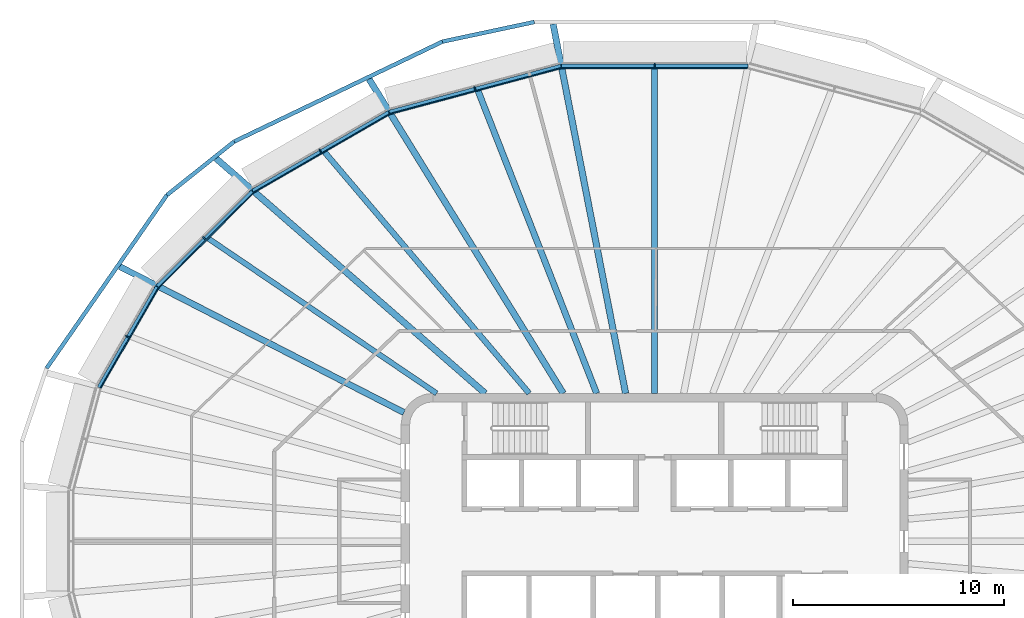
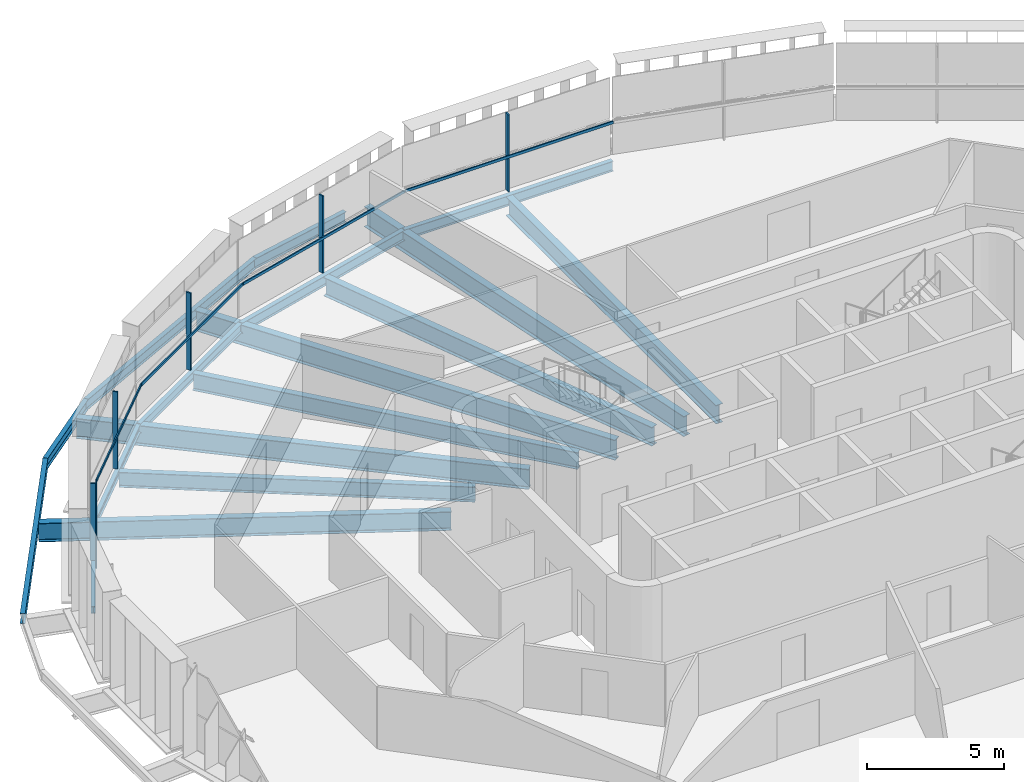
# One storey, part 6 of 18: 17 beams, 10 members, 5 elements without a shape of their own.
"""IFC4 building model written with IfcOpenShell, lengths in metres."""

from ifc_helpers import new_model, si_unit, direction, frame, origin, origin_2d, place, context, subcontext, project, spatial, rectangle, i_section, extrude, material, layer, layer_set, material_profile, profile_set, type_object, element, aggregate, save


model = new_model("IFC4")

# Units and contexts
model_context = context("Model", 3, precision=1e-05, world=origin(), true_north=direction((0.0, 1.0)))
body_context = subcontext(model_context, "Body", "Model", "MODEL_VIEW")
ifc_project = project(units=[si_unit("LENGTHUNIT", "METRE"), si_unit("AREAUNIT", "SQUARE_METRE"), si_unit("VOLUMEUNIT", "CUBIC_METRE"), si_unit("PLANEANGLEUNIT", "RADIAN"), si_unit("MASSUNIT", "GRAM", prefix="KILO")], contexts=[model_context])

# Site, building, storey
site_placement = place(None, origin())
site = spatial("IfcSite", under=ifc_project, at=site_placement, CompositionType="ELEMENT")
building_placement = place(site_placement, origin())
building = spatial("IfcBuilding", under=site, at=building_placement, Name="Sahrelin Media Tower", CompositionType="ELEMENT")
storey_placement = place(building_placement, frame((0.0, 0.0, 295.0)))
storey = spatial("IfcBuildingStorey", under=building, at=storey_placement, Name="L65", CompositionType="ELEMENT", Elevation=295.0)

# Beams
ifc_material_1 = material(Name="Steel S355", Category="steel")
ifc_material_profile_1 = material_profile(ifc_material_1, i_section(OverallWidth=0.1650390625, OverallDepth=0.303466796875, WebThickness=0.006103515625, FlangeThickness=0.01025390625, FilletRadius=0.0087890625, at=origin_2d()), Name="UB 305x165x40")
ifc_profile_set_1 = profile_set([ifc_material_profile_1], Name="Steel S355")
beam_type_1 = type_object("IfcBeamType", Name="Edge beam EB2", PredefinedType="BEAM", material=ifc_profile_set_1)
beam_1_placement = place(storey_placement, frame((-26.300537109375, 7.2841796875, -0.3017578125), z_axis=(0.500009232748, 0.866020073189, 0.0), x_axis=(-0.866020073189, 0.500009232748, 0.0)))
element("IfcBeam", 1, at=beam_1_placement, inside=storey, type_object=beam_type_1, Name="Edge beam L65-15", PredefinedType="BEAM", context=body_context, shape_type="SweptSolid", body=[
    extrude(i_section(OverallWidth=0.1650390625, OverallDepth=0.303466796875, WebThickness=0.006103515625, FlangeThickness=0.01025390625, FilletRadius=0.0087890625, at=origin_2d()), origin(), (0.0, 0.0, 1.0), 5.50244140625),
])
ifc_material_profile_2 = material_profile(ifc_material_1, i_section(OverallWidth=0.17138671875, OverallDepth=0.35498046875, WebThickness=0.00732421875, FlangeThickness=0.011474609375, FilletRadius=0.01025390625, at=origin_2d()), Name="UB 356x171x51")
ifc_profile_set_2 = profile_set([ifc_material_profile_2], Name="Steel S355")
beam_type_2 = type_object("IfcBeamType", Name="Edge beam EB3", PredefinedType="BEAM", material=ifc_profile_set_2)
beam_2_placement = place(storey_placement, frame((-23.53173828125, 12.072265625, -0.327392578125), z_axis=(0.707106781187, 0.707106781187, 0.0), x_axis=(-0.707106781187, 0.707106781187, 0.0)))
element("IfcBeam", 2, at=beam_2_placement, inside=storey, type_object=beam_type_2, Name="Edge beam L65-16", PredefinedType="BEAM", context=body_context, shape_type="SweptSolid", body=[
    extrude(i_section(OverallWidth=0.17138671875, OverallDepth=0.35498046875, WebThickness=0.00732421875, FlangeThickness=0.011474609375, FilletRadius=0.01025390625, at=origin_2d()), origin(), (0.0, 0.0, 1.0), 6.3515625),
])
ifc_material_profile_3 = material_profile(ifc_material_1, i_section(OverallWidth=0.177978515625, OverallDepth=0.406494140625, WebThickness=0.0078125, FlangeThickness=0.0126953125, FilletRadius=0.01025390625, at=origin_2d()), Name="UB 406x178x60")
ifc_profile_set_3 = profile_set([ifc_material_profile_3], Name="Steel S355")
beam_type_3 = type_object("IfcBeamType", Name="Edge beam EB4", PredefinedType="BEAM", material=ifc_profile_set_3)
beam_3_placement = place(storey_placement, frame((-19.017578125, 16.580810546875, -0.353271484375), z_axis=(0.866009322333, 0.500027852856, 0.0), x_axis=(-0.500027852856, 0.866009322333, 0.0)))
element("IfcBeam", 3, at=beam_3_placement, inside=storey, type_object=beam_type_3, Name="Edge beam L65-17", PredefinedType="BEAM", context=body_context, shape_type="SweptSolid", body=[
    extrude(i_section(OverallWidth=0.177978515625, OverallDepth=0.406494140625, WebThickness=0.0078125, FlangeThickness=0.0126953125, FilletRadius=0.01025390625, at=origin_2d()), origin(), (0.0, 0.0, 1.0), 7.42724609375),
])
ifc_material_profile_4 = material_profile(ifc_material_1, i_section(OverallWidth=0.1904296875, OverallDepth=0.45703125, WebThickness=0.009033203125, FlangeThickness=0.014404296875, FilletRadius=0.01025390625, at=origin_2d()), Name="UB 457x191x74")
ifc_profile_set_4 = profile_set([ifc_material_profile_4], Name="Steel S355")
beam_type_4 = type_object("IfcBeamType", Name="Edge beam EB5", PredefinedType="BEAM", material=ifc_profile_set_4)
beam_4_placement = place(storey_placement, frame((-12.558837890625, 20.3056640625, -0.37841796875), z_axis=(0.965928221005, 0.258810107735, 0.0), x_axis=(-0.258810107735, 0.965928221005, 0.0)))
element("IfcBeam", 4, at=beam_4_placement, inside=storey, type_object=beam_type_4, Name="Edge beam L65-18", PredefinedType="BEAM", context=body_context, shape_type="SweptSolid", body=[
    extrude(i_section(OverallWidth=0.1904296875, OverallDepth=0.45703125, WebThickness=0.009033203125, FlangeThickness=0.014404296875, FilletRadius=0.01025390625, at=origin_2d()), origin(), (0.0, 0.0, 1.0), 8.40771484375),
])
beam_5_placement = place(storey_placement, frame((-4.40869140625, 22.485595703125, -0.37841796875), z_axis=(1.0, 0.0, 0.0), x_axis=(0.0, 1.0, 0.0)))
element("IfcBeam", 5, at=beam_5_placement, inside=storey, type_object=beam_type_4, Name="Edge beam L65-19", PredefinedType="BEAM", context=body_context, shape_type="SweptSolid", body=[
    extrude(i_section(OverallWidth=0.1904296875, OverallDepth=0.45703125, WebThickness=0.009033203125, FlangeThickness=0.014404296875, FilletRadius=0.01025390625, at=origin_2d()), origin(), (0.0, 0.0, 1.0), 8.8173828125),
])

# Curtain wall, member
ifc_material_2 = material(Name="Champagne anodised aluminium 6063-T6", Category="aluminium")
ifc_layer = layer(ifc_material_2, 0.14990234375)
ifc_layer_set = layer_set([ifc_layer], Name="Tower ribbon curtain wall")
curtain_wall_type = type_object("IfcCurtainWallType", Name="Tower ribbon curtain wall", PredefinedType="NOTDEFINED", material=ifc_layer_set)
curtain_wall_1_placement = place(storey_placement, frame((0.0, 22.635498046875, 0.0), z_axis=(0.0, 0.0, 1.0), x_axis=(1.0, 0.0, 0.0)))
curtain_wall_1 = element("IfcCurtainWall", 6, at=curtain_wall_1_placement, inside=storey, type_object=curtain_wall_type, Name="L65:CW:L65-06", PredefinedType="NOTDEFINED")
ifc_material_profile_5 = material_profile(ifc_material_2, rectangle(XDim=0.06005859375, YDim=0.199951171875, at=origin_2d()), Name="Mullion 60x200")
ifc_profile_set_5 = profile_set([ifc_material_profile_5], Name="Champagne anodised aluminium 6063-T6")
member_type_1 = type_object("IfcMemberType", Name="Mullion 60x200 CW1C", PredefinedType="MULLION", material=ifc_profile_set_5)
member_1_placement = place(storey_placement, frame((0.0, 22.515380859375, 0.0), z_axis=(0.0, 0.0, 1.0), x_axis=(-1.0, 0.0, 0.0)))
member_1 = element("IfcMember", 7, at=member_1_placement, type_object=member_type_1, Name="L65:CWM:L65-06", PredefinedType="MULLION", context=body_context, shape_type="SweptSolid", body=[
    extrude(rectangle(XDim=0.06005859375, YDim=0.199951171875, at=origin_2d()), origin(), (0.0, 0.0, 1.0), 3.448486328125),
])

curtain_wall_2_placement = place(storey_placement, frame((-8.536865234375, 21.53857421875, 0.0), z_axis=(0.0, 0.0, 1.0), x_axis=(1.0, 0.0, 0.0)))
curtain_wall_2 = element("IfcCurtainWall", 8, at=curtain_wall_2_placement, inside=storey, type_object=curtain_wall_type, Name="L65:CW:L65-07", PredefinedType="NOTDEFINED")
member_2_placement = place(storey_placement, frame((-8.505859375, 21.422607421875, 0.0), z_axis=(0.0, 0.0, 1.0), x_axis=(-0.965927633163, -0.258812301662, 0.0)))
member_2 = element("IfcMember", 9, at=member_2_placement, type_object=member_type_1, Name="L65:CWM:L65-07", PredefinedType="MULLION", context=body_context, shape_type="SweptSolid", body=[
    extrude(rectangle(XDim=0.06005859375, YDim=0.199951171875, at=origin_2d()), origin(), (0.0, 0.0, 1.0), 3.448486328125),
])

curtain_wall_3_placement = place(storey_placement, frame((-15.876708984375, 18.567626953125, 0.0), z_axis=(0.0, 0.0, 1.0), x_axis=(1.0, 0.0, 0.0)))
curtain_wall_3 = element("IfcCurtainWall", 10, at=curtain_wall_3_placement, inside=storey, type_object=curtain_wall_type, Name="L65:CW:L65-08", PredefinedType="NOTDEFINED")
member_3_placement = place(storey_placement, frame((-15.81640625, 18.4638671875, 0.0), z_axis=(0.0, 0.0, 1.0), x_axis=(-0.866024531118, -0.500001511499, 0.0)))
member_3 = element("IfcMember", 11, at=member_3_placement, type_object=member_type_1, Name="L65:CWM:L65-08", PredefinedType="MULLION", context=body_context, shape_type="SweptSolid", body=[
    extrude(rectangle(XDim=0.06005859375, YDim=0.199951171875, at=origin_2d()), origin(), (0.0, 0.0, 1.0), 3.448486328125),
])

curtain_wall_4_placement = place(storey_placement, frame((-21.39208984375, 14.423828125, 0.0), z_axis=(0.0, 0.0, 1.0), x_axis=(1.0, 0.0, 0.0)))
curtain_wall_4 = element("IfcCurtainWall", 12, at=curtain_wall_4_placement, inside=storey, type_object=curtain_wall_type, Name="L65:CW:L65-09", PredefinedType="NOTDEFINED")
member_4_placement = place(storey_placement, frame((-21.307373046875, 14.339111328125, 0.0), z_axis=(0.0, 0.0, 1.0), x_axis=(-0.707106781187, -0.707106781187, 0.0)))
member_4 = element("IfcMember", 13, at=member_4_placement, type_object=member_type_1, Name="L65:CWM:L65-09", PredefinedType="MULLION", context=body_context, shape_type="SweptSolid", body=[
    extrude(rectangle(XDim=0.06005859375, YDim=0.199951171875, at=origin_2d()), origin(), (0.0, 0.0, 1.0), 3.448486328125),
])

curtain_wall_5_placement = place(storey_placement, frame((-25.054931640625, 9.74169921875, 0.0), z_axis=(0.0, 0.0, 1.0), x_axis=(1.0, 0.0, 0.0)))
curtain_wall_5 = element("IfcCurtainWall", 14, at=curtain_wall_5_placement, inside=storey, type_object=curtain_wall_type, Name="L65:CW:L65-10", PredefinedType="NOTDEFINED")
member_5_placement = place(storey_placement, frame((-24.950927734375, 9.681640625, 0.0), z_axis=(0.0, 0.0, 1.0), x_axis=(-0.500010580459, -0.866019295067, 0.0)))
member_5 = element("IfcMember", 15, at=member_5_placement, type_object=member_type_1, Name="L65:CWM:L65-10", PredefinedType="MULLION", context=body_context, shape_type="SweptSolid", body=[
    extrude(rectangle(XDim=0.06005859375, YDim=0.199951171875, at=origin_2d()), origin(), (0.0, 0.0, 1.0), 3.448486328125),
])

# Beams
ifc_material_profile_6 = material_profile(ifc_material_1, i_section(OverallWidth=0.291748046875, OverallDepth=0.8349609375, WebThickness=0.013916015625, FlangeThickness=0.018798828125, FilletRadius=0.017822265625, at=origin_2d()), Name="UB 838x292x176")
ifc_profile_set_6 = profile_set([ifc_material_profile_6], Name="Steel S355")
beam_type_5 = type_object("IfcBeamType", Name="Radial primary beam PB10", PredefinedType="BEAM", material=ifc_profile_set_6)
beam_6_placement = place(storey_placement, frame((-11.86376953125, 6.09375, -0.5673828125), z_axis=(-0.889517357892, 0.456901378865, 0.0), x_axis=(-0.456901378865, -0.889517357892, 0.0)))
element("IfcBeam", 16, at=beam_6_placement, inside=storey, type_object=beam_type_5, Name="Radial beam L65-10", PredefinedType="BEAM", context=body_context, shape_type="SweptSolid", body=[
    extrude(i_section(OverallWidth=0.291748046875, OverallDepth=0.8349609375, WebThickness=0.013916015625, FlangeThickness=0.018798828125, FilletRadius=0.017822265625, at=origin_2d()), origin(), (0.0, 0.0, 1.0), 15.11962890625),
])
ifc_material_profile_7 = material_profile(ifc_material_1, i_section(OverallWidth=0.30322265625, OverallDepth=0.903076171875, WebThickness=0.01513671875, FlangeThickness=0.020263671875, FilletRadius=0.01904296875, at=origin_2d()), Name="UB 914x305x201")
ifc_profile_set_7 = profile_set([ifc_material_profile_7], Name="Steel S355")
beam_type_6 = type_object("IfcBeamType", Name="Radial primary beam PB11", PredefinedType="BEAM", material=ifc_profile_set_7)
beam_7_placement = place(storey_placement, frame((-1.3740234375, 7.0, -0.6015625), z_axis=(-0.192606492872, 0.981276076802, 0.0), x_axis=(-0.981276076802, -0.192606492872, 0.0)))
element("IfcBeam", 17, at=beam_7_placement, inside=storey, type_object=beam_type_6, Name="Radial beam L65-07", PredefinedType="BEAM", context=body_context, shape_type="SweptSolid", body=[
    extrude(i_section(OverallWidth=0.30322265625, OverallDepth=0.903076171875, WebThickness=0.01513671875, FlangeThickness=0.020263671875, FilletRadius=0.01904296875, at=origin_2d()), origin(), (0.0, 0.0, 1.0), 17.811767578125),
])
beam_8_placement = place(storey_placement, frame((-4.3251953125, 7.0, -0.6015625), z_axis=(-0.525640038522, 0.850707088194, 0.0), x_axis=(-0.850707088194, -0.525640038522, 0.0)))
element("IfcBeam", 18, at=beam_8_placement, inside=storey, type_object=beam_type_6, Name="Radial beam L65-08", PredefinedType="BEAM", context=body_context, shape_type="SweptSolid", body=[
    extrude(i_section(OverallWidth=0.30322265625, OverallDepth=0.903076171875, WebThickness=0.01513671875, FlangeThickness=0.020263671875, FilletRadius=0.01904296875, at=origin_2d()), origin(), (0.0, 0.0, 1.0), 17.48291015625),
])
beam_9_placement = place(storey_placement, frame((-8.018310546875, 7.0, -0.6015625), z_axis=(-0.753326939071, 0.657646198856, 0.0), x_axis=(-0.657646198856, -0.753326939071, 0.0)))
element("IfcBeam", 19, at=beam_9_placement, inside=storey, type_object=beam_type_6, Name="Radial beam L65-09", PredefinedType="BEAM", context=body_context, shape_type="SweptSolid", body=[
    extrude(i_section(OverallWidth=0.30322265625, OverallDepth=0.903076171875, WebThickness=0.01513671875, FlangeThickness=0.020263671875, FilletRadius=0.01904296875, at=origin_2d()), origin(), (0.0, 0.0, 1.0), 16.90185546875),
])
ifc_material_profile_8 = material_profile(ifc_material_1, i_section(OverallWidth=0.291748046875, OverallDepth=0.8349609375, WebThickness=0.013916015625, FlangeThickness=0.018798828125, FilletRadius=0.017822265625, at=origin_2d()), Name="UB 838x292x176")
ifc_profile_set_8 = profile_set([ifc_material_profile_8], Name="Steel S355")
beam_type_7 = type_object("IfcBeamType", Name="Radial secondary beam SB10", PredefinedType="BEAM", material=ifc_profile_set_8)
beam_10_placement = place(storey_placement, frame((0.0, 7.0, -0.5673828125), z_axis=(0.0, 1.0, 0.0), x_axis=(-1.0, 0.0, 0.0)))
element("IfcBeam", 20, at=beam_10_placement, inside=storey, type_object=beam_type_7, Name="Secondary beam L65-06", PredefinedType="BEAM", context=body_context, shape_type="SweptSolid", body=[
    extrude(i_section(OverallWidth=0.291748046875, OverallDepth=0.8349609375, WebThickness=0.013916015625, FlangeThickness=0.018798828125, FilletRadius=0.017822265625, at=origin_2d()), origin(), (0.0, 0.0, 1.0), 15.390380859375),
])
beam_11_placement = place(storey_placement, frame((-2.744384765625, 7.0, -0.5673828125), z_axis=(-0.365018797465, 0.931000149032, 0.0), x_axis=(-0.931000149032, -0.365018797465, 0.0)))
element("IfcBeam", 21, at=beam_11_placement, inside=storey, type_object=beam_type_7, Name="Secondary beam L65-07", PredefinedType="BEAM", context=body_context, shape_type="SweptSolid", body=[
    extrude(i_section(OverallWidth=0.291748046875, OverallDepth=0.8349609375, WebThickness=0.013916015625, FlangeThickness=0.018798828125, FilletRadius=0.017822265625, at=origin_2d()), origin(), (0.0, 0.0, 1.0), 15.3935546875),
])
ifc_material_profile_9 = material_profile(ifc_material_1, i_section(OverallWidth=0.2529296875, OverallDepth=0.677978515625, WebThickness=0.01171875, FlangeThickness=0.01611328125, FilletRadius=0.01513671875, at=origin_2d()), Name="UB 686x254x125")
ifc_profile_set_9 = profile_set([ifc_material_profile_9], Name="Steel S355")
beam_type_8 = type_object("IfcBeamType", Name="Radial secondary beam SB8", PredefinedType="BEAM", material=ifc_profile_set_9)
beam_12_placement = place(storey_placement, frame((-10.318115234375, 7.0, -0.489013671875), z_axis=(-0.827525335728, 0.56142837364, 0.0), x_axis=(-0.56142837364, -0.827525335728, 0.0)))
element("IfcBeam", 22, at=beam_12_placement, inside=storey, type_object=beam_type_8, Name="Secondary beam L65-09", PredefinedType="BEAM", context=body_context, shape_type="SweptSolid", body=[
    extrude(i_section(OverallWidth=0.2529296875, OverallDepth=0.677978515625, WebThickness=0.01171875, FlangeThickness=0.01611328125, FilletRadius=0.01513671875, at=origin_2d()), origin(), (0.0, 0.0, 1.0), 13.077880859375),
])
ifc_material_profile_10 = material_profile(ifc_material_1, i_section(OverallWidth=0.26513671875, OverallDepth=0.75390625, WebThickness=0.0126953125, FlangeThickness=0.017578125, FilletRadius=0.0166015625, at=origin_2d()), Name="UB 762x267x147")
ifc_profile_set_10 = profile_set([ifc_material_profile_10], Name="Steel S355")
beam_type_9 = type_object("IfcBeamType", Name="Radial secondary beam SB9", PredefinedType="BEAM", material=ifc_profile_set_10)
beam_13_placement = place(storey_placement, frame((-5.935546875, 7.0, -0.527099609375), z_axis=(-0.646730360322, 0.762718716853, 0.0), x_axis=(-0.762718716853, -0.646730360322, 0.0)))
element("IfcBeam", 23, at=beam_13_placement, inside=storey, type_object=beam_type_9, Name="Secondary beam L65-08", PredefinedType="BEAM", context=body_context, shape_type="SweptSolid", body=[
    extrude(i_section(OverallWidth=0.26513671875, OverallDepth=0.75390625, WebThickness=0.0126953125, FlangeThickness=0.017578125, FilletRadius=0.0166015625, at=origin_2d()), origin(), (0.0, 0.0, 1.0), 14.990966796875),
])
ifc_material_profile_11 = material_profile(ifc_material_1, i_section(OverallWidth=0.1904296875, OverallDepth=0.45703125, WebThickness=0.009033203125, FlangeThickness=0.014404296875, FilletRadius=0.01025390625, at=origin_2d()), Name="UB 457x191x74")
ifc_profile_set_11 = profile_set([ifc_material_profile_11], Name="Steel S355")
beam_type_10 = type_object("IfcBeamType", Name="Tie chord TC5", PredefinedType="BEAM", material=ifc_profile_set_11)
beam_14_placement = place(storey_placement, frame((-5.692626953125, 24.573486328125, -0.37841796875), z_axis=(-0.977982969165, -0.208684719191, 0.0), x_axis=(0.208684719191, -0.977982969165, 0.0)))
element("IfcBeam", 24, at=beam_14_placement, inside=storey, type_object=beam_type_10, Name="Tie chord L65-07", PredefinedType="BEAM", context=body_context, shape_type="SweptSolid", body=[
    extrude(i_section(OverallWidth=0.1904296875, OverallDepth=0.45703125, WebThickness=0.009033203125, FlangeThickness=0.014404296875, FilletRadius=0.01025390625, at=origin_2d()), origin(), (0.0, 0.0, 1.0), 4.443359375),
])
beam_15_placement = place(storey_placement, frame((-10.0380859375, 23.646240234375, -0.37841796875), z_axis=(-0.901625452697, -0.432517679465, 0.0), x_axis=(0.432517679465, -0.901625452697, 0.0)))
element("IfcBeam", 25, at=beam_15_placement, inside=storey, type_object=beam_type_10, Name="Tie chord L65-08", PredefinedType="BEAM", context=body_context, shape_type="SweptSolid", body=[
    extrude(i_section(OverallWidth=0.1904296875, OverallDepth=0.45703125, WebThickness=0.009033203125, FlangeThickness=0.014404296875, FilletRadius=0.01025390625, at=origin_2d()), origin(), (0.0, 0.0, 1.0), 10.93603515625),
])
beam_16_placement = place(storey_placement, frame((-19.898193359375, 18.916259765625, -0.37841796875), z_axis=(-0.782272559635, -0.62293630689, 0.0), x_axis=(0.62293630689, -0.782272559635, 0.0)))
element("IfcBeam", 26, at=beam_16_placement, inside=storey, type_object=beam_type_10, Name="Tie chord L65-09", PredefinedType="BEAM", context=body_context, shape_type="SweptSolid", body=[
    extrude(i_section(OverallWidth=0.1904296875, OverallDepth=0.45703125, WebThickness=0.009033203125, FlangeThickness=0.014404296875, FilletRadius=0.01025390625, at=origin_2d()), origin(), (0.0, 0.0, 1.0), 4.066650390625),
])
beam_17_placement = place(storey_placement, frame((-23.079345703125, 16.383056640625, -0.37841796875), z_axis=(-0.570635637769, -0.821203366352, 0.0), x_axis=(0.821203366352, -0.570635637769, 0.0)))
element("IfcBeam", 27, at=beam_17_placement, inside=storey, type_object=beam_type_10, Name="Tie chord L65-10", PredefinedType="BEAM", context=body_context, shape_type="SweptSolid", body=[
    extrude(i_section(OverallWidth=0.1904296875, OverallDepth=0.45703125, WebThickness=0.009033203125, FlangeThickness=0.014404296875, FilletRadius=0.01025390625, at=origin_2d()), origin(), (0.0, 0.0, 1.0), 9.976318359375),
])

# Member
ifc_material_profile_12 = material_profile(ifc_material_2, rectangle(XDim=0.050048828125, YDim=0.1201171875, at=origin_2d()), Name="Transom 50x120")
ifc_profile_set_12 = profile_set([ifc_material_profile_12], Name="Champagne anodised aluminium 6063-T6")
member_type_2 = type_object("IfcMemberType", Name="Transom 50x120 CW1C", PredefinedType="USERDEFINED", material=ifc_profile_set_12)
member_6_placement = place(storey_placement, frame((4.39306640625, 22.390380859375, 1.60009765625), z_axis=(-1.0, 0.0, 0.0), x_axis=(0.0, -1.0, 0.0)))
member_6 = element("IfcMember", 28, at=member_6_placement, type_object=member_type_2, Name="L65:CWT:L65-06", ObjectType="TRANSOM", PredefinedType="USERDEFINED", context=body_context, shape_type="SweptSolid", body=[
    extrude(rectangle(XDim=0.050048828125, YDim=0.1201171875, at=origin_2d()), origin(), (0.0, 0.0, 1.0), 8.7861328125),
])

aggregate(curtain_wall_1, [member_1, member_6])

member_7_placement = place(storey_placement, frame((-4.427978515625, 22.385986328125, 1.60009765625), z_axis=(-0.965926585438, -0.258816211903, 0.0), x_axis=(0.258816211903, -0.965926585438, 0.0)))
member_7 = element("IfcMember", 29, at=member_7_placement, type_object=member_type_2, Name="L65:CWT:L65-07", ObjectType="TRANSOM", PredefinedType="USERDEFINED", context=body_context, shape_type="SweptSolid", body=[
    extrude(rectangle(XDim=0.050048828125, YDim=0.1201171875, at=origin_2d()), origin(), (0.0, 0.0, 1.0), 8.37646484375),
])

aggregate(curtain_wall_2, [member_2, member_7])

member_8_placement = place(storey_placement, frame((-12.551513671875, 20.20458984375, 1.60009765625), z_axis=(-0.866022320763, -0.500005339912, 0.0), x_axis=(0.500005339912, -0.866022320763, 0.0)))
member_8 = element("IfcMember", 30, at=member_8_placement, type_object=member_type_2, Name="L65:CWT:L65-08", ObjectType="TRANSOM", PredefinedType="USERDEFINED", context=body_context, shape_type="SweptSolid", body=[
    extrude(rectangle(XDim=0.050048828125, YDim=0.1201171875, at=origin_2d()), origin(), (0.0, 0.0, 1.0), 7.39599609375),
])

aggregate(curtain_wall_3, [member_3, member_8])

member_9_placement = place(storey_placement, frame((-18.984619140625, 16.485107421875, 1.60009765625), z_axis=(-0.707106781187, -0.707106781187, 0.0), x_axis=(0.707106781187, -0.707106781187, 0.0)))
member_9 = element("IfcMember", 31, at=member_9_placement, type_object=member_type_2, Name="L65:CWT:L65-09", ObjectType="TRANSOM", PredefinedType="USERDEFINED", context=body_context, shape_type="SweptSolid", body=[
    extrude(rectangle(XDim=0.050048828125, YDim=0.1201171875, at=origin_2d()), origin(), (0.0, 0.0, 1.0), 6.320068359375),
])

aggregate(curtain_wall_4, [member_4, member_9])

member_10_placement = place(storey_placement, frame((-23.474853515625, 11.98828125, 1.60009765625), z_axis=(-0.500012159746, -0.866018383238, 0.0), x_axis=(0.866018383238, -0.500012159746, 0.0)))
member_10 = element("IfcMember", 32, at=member_10_placement, type_object=member_type_2, Name="L65:CWT:L65-10", ObjectType="TRANSOM", PredefinedType="USERDEFINED", context=body_context, shape_type="SweptSolid", body=[
    extrude(rectangle(XDim=0.050048828125, YDim=0.1201171875, at=origin_2d()), origin(), (0.0, 0.0, 1.0), 5.470947265625),
])

aggregate(curtain_wall_5, [member_5, member_10])

save(model, "model.ifc")
